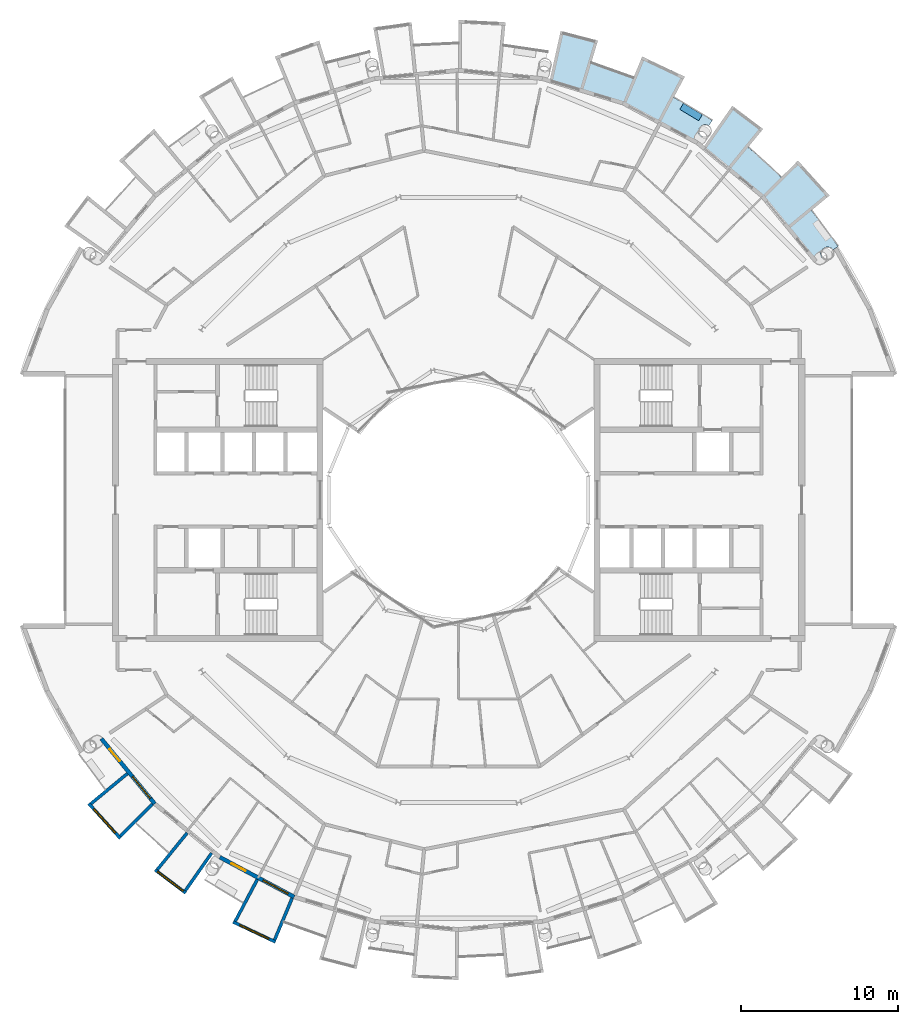
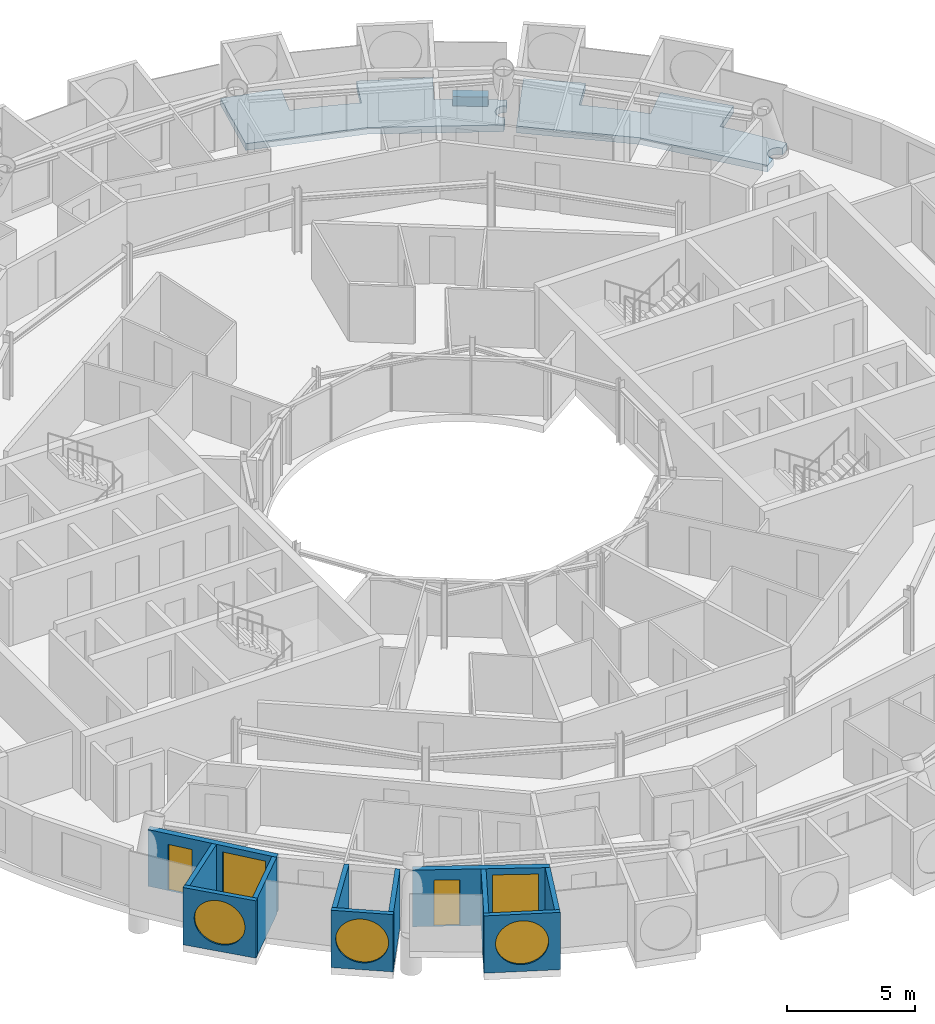
# One storey, part 14 of 28: 11 walls, 5 windows, 3 slabs, 2 doors, 7 openings.
"""IFC4 building model written with IfcOpenShell, lengths in metres."""

from ifc_helpers import new_model, si_unit, direction, frame, frame_2d, origin, place, context, subcontext, project, spatial, polyline, rectangle, circle, outline, extrude, material, layer, layer_set, type_object, element, fill, save


model = new_model("IFC4")

# Units and contexts
model_context = context("Model", 3, precision=1e-05, world=origin(), true_north=direction((0.0, 1.0)))
body_context = subcontext(model_context, "Body", "Model", "MODEL_VIEW")
ifc_project = project(units=[si_unit("LENGTHUNIT", "METRE"), si_unit("AREAUNIT", "SQUARE_METRE"), si_unit("VOLUMEUNIT", "CUBIC_METRE"), si_unit("PLANEANGLEUNIT", "RADIAN"), si_unit("MASSUNIT", "GRAM", prefix="KILO")], contexts=[model_context])

# Site, building, storey
site_placement = place(None, origin())
site = spatial("IfcSite", under=ifc_project, at=site_placement, CompositionType="ELEMENT")
building_placement = place(site_placement, origin())
building = spatial("IfcBuilding", under=site, at=building_placement, Name="Maasbend Ring Residences", CompositionType="ELEMENT")
storey_placement = place(building_placement, frame((0.0, 0.0, 231.0)))
storey = spatial("IfcBuildingStorey", under=building, at=storey_placement, Name="L66", CompositionType="ELEMENT", Elevation=231.0)

# Slabs
ifc_material_1 = material(Name="Planting with climbing greenery")
ifc_layer_1 = layer(ifc_material_1, 0.449951171875)
ifc_layer_set_1 = layer_set([ifc_layer_1], Name="PLANTER-LG")
slab_type_1 = type_object("IfcSlabType", Name="PLANTER-LG", PredefinedType="USERDEFINED", material=ifc_layer_set_1)
slab_1_placement = place(storey_placement, frame((0.0, 0.0, -0.030029296875)))
element("IfcSlab", 1, at=slab_1_placement, inside=storey, type_object=slab_type_1, Name="Planter with climbing greenery 2", ObjectType="PLANTER", PredefinedType="USERDEFINED", context=body_context, shape_type="SweptSolid", body=[
    extrude(outline(polyline([(15.490966796875, 24.48388671875), (14.291015625, 25.2041015625), (14.05908203125, 24.818115234375), (15.260009765625, 24.097900390625), (15.490966796875, 24.48388671875)])), origin(), (0.0, 0.0, 1.0), 0.449951171875),
])
ifc_material_2 = material(Name="Concrete C40/50", Category="concrete")
ifc_layer_2 = layer(ifc_material_2, 0.199951171875)
ifc_layer_set_2 = layer_set([ifc_layer_2], Name="Concrete C40/50")
slab_type_2 = type_object("IfcSlabType", Name="SL-LOGGIA", PredefinedType="FLOOR", material=ifc_layer_set_2)
slab_2_placement = place(storey_placement, frame((0.0, 0.0, -0.35009765625)))
element("IfcSlab", 2, at=slab_2_placement, inside=storey, type_object=slab_type_2, Name="Loggia floor 1", PredefinedType="FLOOR", context=body_context, shape_type="SweptSolid", body=[
    extrude(outline(polyline([(8.85400390625, 29.18701171875), (8.85400390625, 29.18701171875), (8.85400390625, 29.18701171875), (8.41796875, 27.751953125), (8.41796875, 27.751953125), (8.41796875, 27.751953125), (8.41796875, 27.751953125), (8.41796875, 27.751953125), (8.41796875, 27.751953125), (8.41796875, 27.7509765625), (8.41796875, 27.7509765625), (8.41796875, 27.7509765625), (8.41796875, 27.7509765625), (8.41796875, 27.7509765625), (8.4189453125, 27.7509765625), (8.4189453125, 27.7509765625), (8.4189453125, 27.7509765625), (8.4189453125, 27.7509765625), (8.4189453125, 27.7509765625), (8.4189453125, 27.7509765625), (9.322021484375, 27.4609375), (9.322021484375, 27.4609375), (10.215087890625, 27.14111328125), (10.215087890625, 27.14111328125), (11.096923828125, 26.79296875), (11.096923828125, 26.79296875), (11.096923828125, 26.79296875), (11.097900390625, 26.79296875), (11.097900390625, 26.79296875), (11.097900390625, 26.79296875), (11.097900390625, 26.79296875), (11.097900390625, 26.79296875), (11.097900390625, 26.79296875), (11.097900390625, 26.79296875), (11.097900390625, 26.79296875), (11.097900390625, 26.79296875), (11.097900390625, 26.79296875), (11.097900390625, 26.79296875), (11.097900390625, 26.79296875), (11.097900390625, 26.79296875), (11.097900390625, 26.79296875), (11.672119140625, 28.177978515625), (11.672119140625, 28.177978515625), (11.672119140625, 28.177978515625), (14.3779296875, 26.89892578125), (14.3779296875, 26.89892578125), (14.3779296875, 26.89892578125), (13.6708984375, 25.575927734375), (13.6708984375, 25.575927734375), (13.6708984375, 25.575927734375), (13.6708984375, 25.575927734375), (13.6708984375, 25.575927734375), (13.6708984375, 25.575927734375), (13.6708984375, 25.575927734375), (13.6708984375, 25.575927734375), (13.6708984375, 25.575927734375), (13.6708984375, 25.575927734375), (13.6708984375, 25.575927734375), (13.6708984375, 25.575927734375), (13.6708984375, 25.575927734375), (13.6708984375, 25.575927734375), (13.6708984375, 25.575927734375), (13.6708984375, 25.575927734375), (13.6708984375, 25.574951171875), (14.5, 25.114990234375), (14.5, 25.114990234375), (15.31396484375, 24.626953125), (15.31396484375, 24.626953125), (16.112060546875, 24.113037109375), (16.112060546875, 24.113037109375), (16.112060546875, 24.113037109375), (15.89306640625, 23.784912109375), (15.885009765625, 23.791015625), (15.8759765625, 23.7958984375), (15.866943359375, 23.801025390625), (15.85888671875, 23.805908203125), (15.85009765625, 23.81005859375), (15.841064453125, 23.81494140625), (15.83203125, 23.819091796875), (15.822998046875, 23.822998046875), (15.81298828125, 23.826904296875), (15.803955078125, 23.830078125), (15.794921875, 23.8330078125), (15.784912109375, 23.8359375), (15.77587890625, 23.839111328125), (15.76611328125, 23.842041015625), (15.756103515625, 23.843994140625), (15.74609375, 23.845947265625), (15.737060546875, 23.847900390625), (15.72705078125, 23.85009765625), (15.717041015625, 23.85107421875), (15.70703125, 23.85205078125), (15.697021484375, 23.85302734375), (15.68701171875, 23.85302734375), (15.677001953125, 23.85400390625), (15.6669921875, 23.85400390625), (15.656982421875, 23.85400390625), (15.64697265625, 23.85302734375), (15.636962890625, 23.85302734375), (15.626953125, 23.85205078125), (15.616943359375, 23.85107421875), (15.60693359375, 23.85009765625), (15.597900390625, 23.847900390625), (15.587890625, 23.845947265625), (15.577880859375, 23.843994140625), (15.568115234375, 23.842041015625), (15.55908203125, 23.839111328125), (15.549072265625, 23.8359375), (15.5400390625, 23.8330078125), (15.530029296875, 23.830078125), (15.52099609375, 23.826904296875), (15.511962890625, 23.822998046875), (15.501953125, 23.819091796875), (15.492919921875, 23.81494140625), (15.48388671875, 23.81005859375), (15.47509765625, 23.805908203125), (15.467041015625, 23.801025390625), (15.4580078125, 23.7958984375), (15.449951171875, 23.791015625), (15.44091796875, 23.784912109375), (15.43310546875, 23.780029296875), (15.425048828125, 23.77392578125), (15.4169921875, 23.76806640625), (15.408935546875, 23.761962890625), (15.402099609375, 23.7548828125), (15.39404296875, 23.7490234375), (15.386962890625, 23.741943359375), (15.3798828125, 23.735107421875), (15.373046875, 23.72802734375), (15.365966796875, 23.719970703125), (15.35888671875, 23.712890625), (15.35302734375, 23.705078125), (15.346923828125, 23.697021484375), (15.341064453125, 23.68994140625), (15.3349609375, 23.680908203125), (15.3291015625, 23.673095703125), (15.323974609375, 23.6650390625), (15.318115234375, 23.656005859375), (15.31298828125, 23.64794921875), (15.30908203125, 23.638916015625), (15.303955078125, 23.6298828125), (15.300048828125, 23.62109375), (15.294921875, 23.612060546875), (15.2919921875, 23.60302734375), (15.2880859375, 23.593994140625), (15.283935546875, 23.583984375), (15.281005859375, 23.574951171875), (15.278076171875, 23.56494140625), (15.27490234375, 23.555908203125), (15.27294921875, 23.5458984375), (15.27001953125, 23.535888671875), (15.26806640625, 23.527099609375), (15.26708984375, 23.51708984375), (15.264892578125, 23.507080078125), (15.263916015625, 23.4970703125), (15.262939453125, 23.487060546875), (15.261962890625, 23.47705078125), (15.260986328125, 23.467041015625), (15.260986328125, 23.45703125), (15.260986328125, 23.447021484375), (15.260986328125, 23.43701171875), (15.260986328125, 23.427001953125), (15.261962890625, 23.4169921875), (15.262939453125, 23.407958984375), (15.263916015625, 23.39794921875), (15.264892578125, 23.387939453125), (15.26708984375, 23.3779296875), (15.26806640625, 23.367919921875), (15.27001953125, 23.35791015625), (15.27294921875, 23.34912109375), (15.27490234375, 23.339111328125), (15.278076171875, 23.3291015625), (15.281005859375, 23.320068359375), (15.283935546875, 23.31005859375), (15.2880859375, 23.301025390625), (15.2919921875, 23.2919921875), (15.294921875, 23.282958984375), (15.300048828125, 23.27392578125), (15.303955078125, 23.264892578125), (15.30908203125, 23.256103515625), (15.31298828125, 23.2470703125), (15.318115234375, 23.238037109375), (15.323974609375, 23.22998046875), (15.3291015625, 23.221923828125), (15.3349609375, 23.212890625), (15.341064453125, 23.205078125), (15.346923828125, 23.197021484375), (15.35302734375, 23.18994140625), (15.35888671875, 23.181884765625), (15.365966796875, 23.174072265625), (15.373046875, 23.1669921875), (15.3798828125, 23.159912109375), (15.386962890625, 23.153076171875), (15.39404296875, 23.14599609375), (15.402099609375, 23.139892578125), (15.408935546875, 23.133056640625), (15.4169921875, 23.126953125), (15.425048828125, 23.12109375), (15.43310546875, 23.114990234375), (15.44091796875, 23.10888671875), (15.1669921875, 22.698974609375), (15.1669921875, 22.698974609375), (15.1669921875, 22.698974609375), (12.806884765625, 23.9609375), (10.447021484375, 25.221923828125), (10.447021484375, 25.221923828125), (10.447021484375, 25.221923828125), (7.886962890625, 25.9990234375), (5.797119140625, 26.633056640625), (5.797119140625, 26.633056640625), (5.797119140625, 26.633056640625), (6.487060546875, 29.802001953125), (6.487060546875, 29.802001953125), (6.487060546875, 29.802001953125), (8.85400390625, 29.18701171875)])), origin(), (0.0, 0.0, 1.0), 0.320068359375),
])
slab_3_placement = place(storey_placement, frame((0.0, 0.0, -0.35009765625)))
element("IfcSlab", 3, at=slab_3_placement, inside=storey, type_object=slab_type_2, Name="Loggia floor 4", PredefinedType="FLOOR", context=body_context, shape_type="SweptSolid", body=[
    extrude(outline(polyline([(19.34912109375, 23.576904296875), (19.34912109375, 23.576904296875), (19.34912109375, 23.576904296875), (18.39794921875, 22.41796875), (18.39794921875, 22.41796875), (18.39794921875, 22.41796875), (18.39794921875, 22.41796875), (18.39794921875, 22.41796875), (18.39794921875, 22.4169921875), (18.39794921875, 22.4169921875), (18.39794921875, 22.4169921875), (18.39794921875, 22.4169921875), (18.39794921875, 22.4169921875), (18.39794921875, 22.4169921875), (18.39794921875, 22.4169921875), (18.39794921875, 22.4169921875), (18.39794921875, 22.4169921875), (18.39794921875, 22.4169921875), (18.39794921875, 22.4169921875), (18.39794921875, 22.4169921875), (19.12109375, 21.802978515625), (19.12109375, 21.802978515625), (19.823974609375, 21.166015625), (19.823974609375, 21.166015625), (20.506103515625, 20.506103515625), (20.506103515625, 20.506103515625), (20.506103515625, 20.506103515625), (20.506103515625, 20.506103515625), (20.506103515625, 20.506103515625), (20.506103515625, 20.506103515625), (20.506103515625, 20.506103515625), (20.506103515625, 20.506103515625), (20.506103515625, 20.506103515625), (20.506103515625, 20.506103515625), (20.506103515625, 20.506103515625), (20.506103515625, 20.506103515625), (20.506103515625, 20.506103515625), (20.506103515625, 20.506103515625), (20.506103515625, 20.506103515625), (20.506103515625, 20.506103515625), (20.506103515625, 20.506103515625), (21.56689453125, 21.56689453125), (21.56689453125, 21.56689453125), (21.56689453125, 21.56689453125), (23.576904296875, 19.34912109375), (23.576904296875, 19.34912109375), (23.576904296875, 19.34912109375), (22.41796875, 18.39794921875), (22.41796875, 18.39794921875), (22.41796875, 18.39794921875), (22.41796875, 18.39794921875), (22.41796875, 18.39794921875), (22.41796875, 18.39794921875), (22.41796875, 18.39697265625), (22.41796875, 18.39697265625), (22.41796875, 18.39697265625), (22.41796875, 18.39697265625), (22.41796875, 18.39697265625), (22.41796875, 18.39697265625), (22.41796875, 18.39697265625), (22.41796875, 18.39697265625), (22.41796875, 18.39697265625), (22.41796875, 18.39697265625), (22.41796875, 18.39697265625), (23.007080078125, 17.654052734375), (23.007080078125, 17.654052734375), (23.572998046875, 16.89208984375), (23.572998046875, 16.89208984375), (24.113037109375, 16.112060546875), (24.113037109375, 16.112060546875), (24.113037109375, 16.112060546875), (23.784912109375, 15.89306640625), (23.784912109375, 15.89306640625), (23.780029296875, 15.90087890625), (23.77392578125, 15.908935546875), (23.76806640625, 15.9169921875), (23.761962890625, 15.925048828125), (23.7548828125, 15.93310546875), (23.7490234375, 15.93994140625), (23.741943359375, 15.947021484375), (23.735107421875, 15.955078125), (23.72802734375, 15.9619140625), (23.719970703125, 15.968017578125), (23.712890625, 15.97509765625), (23.705078125, 15.98095703125), (23.697021484375, 15.988037109375), (23.68994140625, 15.993896484375), (23.680908203125, 15.9990234375), (23.673095703125, 16.0048828125), (23.6650390625, 16.010986328125), (23.656005859375, 16.01611328125), (23.64794921875, 16.02099609375), (23.638916015625, 16.02587890625), (23.6298828125, 16.030029296875), (23.62109375, 16.034912109375), (23.612060546875, 16.0390625), (23.60302734375, 16.04296875), (23.593994140625, 16.0458984375), (23.583984375, 16.050048828125), (23.574951171875, 16.052978515625), (23.56494140625, 16.055908203125), (23.555908203125, 16.05908203125), (23.5458984375, 16.06103515625), (23.535888671875, 16.06396484375), (23.527099609375, 16.06591796875), (23.51708984375, 16.068115234375), (23.507080078125, 16.069091796875), (23.4970703125, 16.071044921875), (23.487060546875, 16.072021484375), (23.47705078125, 16.072021484375), (23.467041015625, 16.072998046875), (23.45703125, 16.072998046875), (23.447021484375, 16.073974609375), (23.43701171875, 16.072998046875), (23.427001953125, 16.072998046875), (23.4169921875, 16.072021484375), (23.407958984375, 16.072021484375), (23.39794921875, 16.071044921875), (23.387939453125, 16.069091796875), (23.3779296875, 16.068115234375), (23.367919921875, 16.06591796875), (23.35791015625, 16.06396484375), (23.34912109375, 16.06103515625), (23.339111328125, 16.05908203125), (23.3291015625, 16.055908203125), (23.320068359375, 16.052978515625), (23.31005859375, 16.050048828125), (23.301025390625, 16.0458984375), (23.2919921875, 16.04296875), (23.282958984375, 16.0390625), (23.27392578125, 16.034912109375), (23.264892578125, 16.030029296875), (23.256103515625, 16.02587890625), (23.2470703125, 16.02099609375), (23.238037109375, 16.01611328125), (23.22998046875, 16.010986328125), (23.221923828125, 16.0048828125), (23.212890625, 15.9990234375), (23.205078125, 15.993896484375), (23.197021484375, 15.988037109375), (23.18994140625, 15.98095703125), (23.181884765625, 15.97509765625), (23.174072265625, 15.968017578125), (23.1669921875, 15.9619140625), (23.159912109375, 15.955078125), (23.153076171875, 15.947021484375), (23.14599609375, 15.93994140625), (23.139892578125, 15.93310546875), (23.133056640625, 15.925048828125), (23.126953125, 15.9169921875), (23.12109375, 15.908935546875), (23.114990234375, 15.90087890625), (23.10888671875, 15.89306640625), (23.10400390625, 15.885009765625), (23.09912109375, 15.8759765625), (23.093994140625, 15.866943359375), (23.089111328125, 15.85888671875), (23.083984375, 15.85009765625), (23.080078125, 15.841064453125), (23.075927734375, 15.83203125), (23.072021484375, 15.822998046875), (23.068115234375, 15.81298828125), (23.06494140625, 15.803955078125), (23.06103515625, 15.794921875), (23.05810546875, 15.784912109375), (23.055908203125, 15.77587890625), (23.052978515625, 15.76611328125), (23.051025390625, 15.756103515625), (23.049072265625, 15.74609375), (23.047119140625, 15.737060546875), (23.044921875, 15.72705078125), (23.0439453125, 15.717041015625), (23.04296875, 15.70703125), (23.0419921875, 15.697021484375), (23.041015625, 15.68701171875), (23.041015625, 15.677001953125), (23.041015625, 15.6669921875), (23.041015625, 15.656982421875), (23.041015625, 15.64697265625), (23.0419921875, 15.636962890625), (23.04296875, 15.626953125), (23.0439453125, 15.616943359375), (23.044921875, 15.60693359375), (23.047119140625, 15.597900390625), (23.049072265625, 15.587890625), (23.051025390625, 15.577880859375), (23.052978515625, 15.568115234375), (23.055908203125, 15.55908203125), (23.05810546875, 15.549072265625), (23.06103515625, 15.5400390625), (23.06494140625, 15.530029296875), (23.068115234375, 15.52099609375), (23.072021484375, 15.511962890625), (23.075927734375, 15.501953125), (23.080078125, 15.492919921875), (23.083984375, 15.48388671875), (23.089111328125, 15.47509765625), (23.093994140625, 15.467041015625), (23.09912109375, 15.4580078125), (23.10400390625, 15.449951171875), (23.10888671875, 15.44091796875), (23.10888671875, 15.44091796875), (22.698974609375, 15.1669921875), (22.698974609375, 15.1669921875), (22.698974609375, 15.1669921875), (21.001953125, 17.236083984375), (19.303955078125, 19.303955078125), (19.303955078125, 19.303955078125), (19.303955078125, 19.303955078125), (17.236083984375, 21.001953125), (15.547119140625, 22.386962890625), (15.547119140625, 22.386962890625), (15.547119140625, 22.386962890625), (17.39794921875, 25.051025390625), (17.39794921875, 25.051025390625), (17.39794921875, 25.051025390625), (19.34912109375, 23.576904296875)])), origin(), (0.0, 0.0, 1.0), 0.320068359375),
])

# Wall, opening, window
ifc_material_3 = material(Name="Pale anodised aluminium panel", Category="aluminium")
ifc_layer_3 = layer(ifc_material_3, 0.199951171875)
ifc_layer_set_3 = layer_set([ifc_layer_3], Name="EW-BOX")
wall_type_1 = type_object("IfcWallType", Name="EW-BOX", PredefinedType="SOLIDWALL", material=ifc_layer_set_3)
wall_1_placement = place(storey_placement, frame((-23.5029296875, -19.281982421875, -0.030029296875), z_axis=(0.0, 0.0, 1.0), x_axis=(0.671506829416, -0.740998365753, 0.0)))
wall_1 = element("IfcWall", 4, at=wall_1_placement, inside=storey, type_object=wall_type_1, Name="Box front S02", PredefinedType="SOLIDWALL", context=body_context, shape_type="SweptSolid", body=[
    extrude(rectangle(XDim=2.9931640625, YDim=0.199951171875, at=frame_2d((1.49658203125, 0.0))), origin(), (0.0, 0.0, 1.0), 2.72998046875),
])
opening_1_placement = place(wall_1_placement, frame((0.45654296875, 0.0, 0.330078125)))
opening_1 = element("IfcOpeningElement", 5, at=opening_1_placement, cuts=wall_1, Name="Opening W-RD", PredefinedType="OPENING", context=body_context, shape_type="SweptSolid", body=[
    extrude(circle(Radius=1.0400390625, at=frame_2d((1.0400390625, 1.0400390625))), frame((0.0, 0.10986328125, 0.0), z_axis=(0.0, -1.0, 0.0), x_axis=(1.0, 0.0, 0.0)), (0.0, 0.0, 1.0), 0.219970703125),
])
ifc_material_4 = material(Name="Aluminium and clear glass", Category="aluminium")
window_type_1 = type_object("IfcWindowType", Name="W-RD", PartitioningType="SINGLE_PANEL", PredefinedType="WINDOW", material=ifc_material_4)
window_1_placement = place(opening_1_placement, origin())
window_1 = element("IfcWindow", 6, at=window_1_placement, inside=storey, type_object=window_type_1, Name="Round window S02", OverallHeight=2.080078125, OverallWidth=2.080078125, PartitioningType="SINGLE_PANEL", PredefinedType="WINDOW", context=body_context, shape_type="SweptSolid", body=[
    extrude(circle(Radius=1.0400390625, at=frame_2d((1.0400390625, 1.0400390625))), frame((0.0, 0.030029296875, 0.0), z_axis=(0.0, -1.0, 0.0), x_axis=(1.0, 0.0, 0.0)), (0.0, 0.0, 1.0), 0.06005859375),
])
fill(opening_1, window_1)

# Walls
wall_2_placement = place(storey_placement, frame((-21.041015625, -17.384033203125, -0.030029296875), z_axis=(0.0, 0.0, 1.0), x_axis=(-0.770784861449, -0.63709551667, 0.0)))
element("IfcWall", 7, at=wall_2_placement, inside=storey, type_object=wall_type_1, Name="Box side wall S02 left", PredefinedType="SOLIDWALL", context=body_context, shape_type="SweptSolid", body=[
    extrude(rectangle(XDim=3.005859375, YDim=0.199951171875, at=frame_2d((1.5029296875, 0.0))), origin(), (0.0, 0.0, 1.0), 2.72998046875),
])
wall_3_placement = place(storey_placement, frame((-19.449951171875, -19.322998046875, -0.030029296875), z_axis=(0.0, 0.0, 1.0), x_axis=(-0.709727076896, -0.704476739375, 0.0)))
element("IfcWall", 8, at=wall_3_placement, inside=storey, type_object=wall_type_1, Name="Box side wall S02 right", PredefinedType="SOLIDWALL", context=body_context, shape_type="SweptSolid", body=[
    extrude(rectangle(XDim=2.883056640625, YDim=0.199951171875, at=frame_2d((1.44140625, 0.0))), origin(), (0.0, 0.0, 1.0), 2.72998046875),
])

# Wall, opening, window
wall_4_placement = place(storey_placement, frame((-19.2890625, -23.4970703125, -0.030029296875), z_axis=(0.0, 0.0, 1.0), x_axis=(0.797887588059, -0.602806268067, 0.0)))
wall_4 = element("IfcWall", 9, at=wall_4_placement, inside=storey, type_object=wall_type_1, Name="Box front S04", PredefinedType="SOLIDWALL", context=body_context, shape_type="SweptSolid", body=[
    extrude(rectangle(XDim=2.446533203125, YDim=0.199951171875, at=frame_2d((1.22314453125, 0.0))), origin(), (0.0, 0.0, 1.0), 2.72998046875),
])
opening_2_placement = place(wall_4_placement, frame((0.182861328125, 0.0, 0.330078125)))
opening_2 = element("IfcOpeningElement", 10, at=opening_2_placement, cuts=wall_4, Name="Opening W-RD", PredefinedType="OPENING", context=body_context, shape_type="SweptSolid", body=[
    extrude(circle(Radius=1.0400390625, at=frame_2d((1.0400390625, 1.0400390625))), frame((0.0, 0.10986328125, 0.0), z_axis=(0.0, -1.0, 0.0), x_axis=(1.0, 0.0, 0.0)), (0.0, 0.0, 1.0), 0.219970703125),
])
window_2_placement = place(opening_2_placement, origin())
window_2 = element("IfcWindow", 11, at=window_2_placement, inside=storey, type_object=window_type_1, Name="Round window S04", OverallHeight=2.080078125, OverallWidth=2.080078125, PartitioningType="SINGLE_PANEL", PredefinedType="WINDOW", context=body_context, shape_type="SweptSolid", body=[
    extrude(circle(Radius=1.0400390625, at=frame_2d((1.0400390625, 1.0400390625))), frame((0.0, 0.030029296875, 0.0), z_axis=(0.0, -1.0, 0.0), x_axis=(1.0, 0.0, 0.0)), (0.0, 0.0, 1.0), 0.06005859375),
])
fill(opening_2, window_2)

# Walls
wall_5_placement = place(storey_placement, frame((-17.24609375, -21.155029296875, -0.030029296875), z_axis=(0.0, 0.0, 1.0), x_axis=(-0.631741648902, -0.775179004516, 0.0)))
element("IfcWall", 12, at=wall_5_placement, inside=storey, type_object=wall_type_1, Name="Box side wall S04 left", PredefinedType="SOLIDWALL", context=body_context, shape_type="SweptSolid", body=[
    extrude(rectangle(XDim=3.005859375, YDim=0.199951171875, at=frame_2d((1.5029296875, 0.0))), origin(), (0.0, 0.0, 1.0), 2.72998046875),
])
wall_6_placement = place(storey_placement, frame((-15.68798828125, -22.43310546875, -0.030029296875), z_axis=(0.0, 0.0, 1.0), x_axis=(-0.573260687834, -0.819373043115, 0.0)))
element("IfcWall", 13, at=wall_6_placement, inside=storey, type_object=wall_type_1, Name="Box side wall S04 right", PredefinedType="SOLIDWALL", context=body_context, shape_type="SweptSolid", body=[
    extrude(rectangle(XDim=2.92529296875, YDim=0.199951171875, at=frame_2d((1.462646484375, 0.0))), origin(), (0.0, 0.0, 1.0), 2.72998046875),
])

# Wall, opening, window
wall_7_placement = place(storey_placement, frame((-14.3349609375, -26.80810546875, -0.030029296875), z_axis=(0.0, 0.0, 1.0), x_axis=(0.904000060331, -0.427532327342, 0.0)))
wall_7 = element("IfcWall", 14, at=wall_7_placement, inside=storey, type_object=wall_type_1, Name="Box front S06", PredefinedType="SOLIDWALL", context=body_context, shape_type="SweptSolid", body=[
    extrude(rectangle(XDim=2.993408203125, YDim=0.199951171875, at=frame_2d((1.49658203125, 0.0))), origin(), (0.0, 0.0, 1.0), 2.72998046875),
])
opening_3_placement = place(wall_7_placement, frame((0.45654296875, 0.0, 0.330078125)))
opening_3 = element("IfcOpeningElement", 15, at=opening_3_placement, cuts=wall_7, Name="Opening W-RD", PredefinedType="OPENING", context=body_context, shape_type="SweptSolid", body=[
    extrude(circle(Radius=1.0400390625, at=frame_2d((1.0400390625, 1.0400390625))), frame((0.0, 0.10986328125, 0.0), z_axis=(0.0, -1.0, 0.0), x_axis=(1.0, 0.0, 0.0)), (0.0, 0.0, 1.0), 0.219970703125),
])
window_3_placement = place(opening_3_placement, origin())
window_3 = element("IfcWindow", 16, at=window_3_placement, inside=storey, type_object=window_type_1, Name="Round window S06", OverallHeight=2.080078125, OverallWidth=2.080078125, PartitioningType="SINGLE_PANEL", PredefinedType="WINDOW", context=body_context, shape_type="SweptSolid", body=[
    extrude(circle(Radius=1.0400390625, at=frame_2d((1.0400390625, 1.0400390625))), frame((0.0, 0.030029296875, 0.0), z_axis=(0.0, -1.0, 0.0), x_axis=(1.0, 0.0, 0.0)), (0.0, 0.0, 1.0), 0.06005859375),
])
fill(opening_3, window_3)

# Walls
wall_8_placement = place(storey_placement, frame((-12.787109375, -24.113037109375, -0.030029296875), z_axis=(0.0, 0.0, 1.0), x_axis=(-0.468365282436, -0.883534924159, 0.0)))
element("IfcWall", 17, at=wall_8_placement, inside=storey, type_object=wall_type_1, Name="Box side wall S06 left", PredefinedType="SOLIDWALL", context=body_context, shape_type="SweptSolid", body=[
    extrude(rectangle(XDim=3.006103515625, YDim=0.199951171875, at=frame_2d((1.5029296875, 0.0))), origin(), (0.0, 0.0, 1.0), 2.72998046875),
])
wall_9_placement = place(storey_placement, frame((-10.574951171875, -25.294921875, -0.030029296875), z_axis=(0.0, 0.0, 1.0), x_axis=(-0.385697364644, -0.922625353492, 0.0)))
element("IfcWall", 18, at=wall_9_placement, inside=storey, type_object=wall_type_1, Name="Box side wall S06 right", PredefinedType="SOLIDWALL", context=body_context, shape_type="SweptSolid", body=[
    extrude(rectangle(XDim=2.88330078125, YDim=0.199951171875, at=frame_2d((1.441650390625, 0.0))), origin(), (0.0, 0.0, 1.0), 2.72998046875),
])

# Wall, openings, door, window
ifc_material_5 = material(Name="Aluminium clad insulated panel", Category="aluminium")
ifc_layer_4 = layer(ifc_material_5, 0.25)
ifc_layer_set_4 = layer_set([ifc_layer_4], Name="EW-GL")
wall_type_2 = type_object("IfcWallType", Name="EW-GL", PredefinedType="SOLIDWALL", material=ifc_layer_set_4)
wall_10_placement = place(storey_placement, frame((-22.698974609375, -15.1669921875, 0.0), z_axis=(0.0, 0.0, 1.0), x_axis=(0.634382322723, -0.773019449054, 0.0)))
wall_10 = element("IfcWall", 19, at=wall_10_placement, inside=storey, type_object=wall_type_2, Name="External wall S01", PredefinedType="SOLIDWALL", context=body_context, shape_type="SweptSolid", body=[
    extrude(rectangle(XDim=5.351806640625, YDim=0.25, at=frame_2d((2.67578125, 0.0))), origin(), (0.0, 0.0, 1.0), 2.699951171875),
])
opening_4_placement = place(wall_10_placement, frame((0.841064453125, 0.0, 0.0)))
opening_4 = element("IfcOpeningElement", 20, at=opening_4_placement, cuts=wall_10, Name="Opening D-LG", PredefinedType="OPENING", context=body_context, shape_type="SweptSolid", body=[
    extrude(rectangle(XDim=1.0, YDim=2.199951171875, at=frame_2d((0.5, 1.10009765625))), frame((0.0, 0.135009765625, 0.0), z_axis=(0.0, -1.0, 0.0), x_axis=(1.0, 0.0, 0.0)), (0.0, 0.0, 1.0), 0.27001953125),
])
opening_5_placement = place(wall_10_placement, frame((3.110595703125, 0.0, 0.300048828125)))
opening_5 = element("IfcOpeningElement", 21, at=opening_5_placement, cuts=wall_10, Name="Opening W-BX", PredefinedType="OPENING", context=body_context, shape_type="SweptSolid", body=[
    extrude(rectangle(XDim=1.800048828125, YDim=2.10009765625, at=frame_2d((0.89990234375, 1.050048828125))), frame((0.0, 0.135009765625, 0.0), z_axis=(0.0, -1.0, 0.0), x_axis=(1.0, 0.0, 0.0)), (0.0, 0.0, 1.0), 0.27001953125),
])
ifc_material_6 = material(Name="Aluminium and clear glass", Category="aluminium")
door_type = type_object("IfcDoorType", Name="D-LG", OperationType="SINGLE_SWING_LEFT", PredefinedType="DOOR", material=ifc_material_6)
door_1_placement = place(opening_4_placement, origin())
door_1 = element("IfcDoor", 22, at=door_1_placement, inside=storey, type_object=door_type, Name="Loggia door S01", OperationType="SINGLE_SWING_LEFT", OverallHeight=2.199951171875, OverallWidth=1.0, PredefinedType="DOOR", context=body_context, shape_type="SweptSolid", body=[
    extrude(rectangle(XDim=1.0, YDim=2.199951171875, at=frame_2d((0.5, 1.10009765625))), frame((0.0, 0.02490234375, 0.0), z_axis=(0.0, -1.0, 0.0), x_axis=(1.0, 0.0, 0.0)), (0.0, 0.0, 1.0), 0.050048828125),
])
fill(opening_4, door_1)
ifc_material_7 = material(Name="Aluminium and clear glass", Category="aluminium")
window_type_2 = type_object("IfcWindowType", Name="W-BX", PartitioningType="DOUBLE_PANEL_VERTICAL", PredefinedType="WINDOW", material=ifc_material_7)
window_4_placement = place(opening_5_placement, origin())
window_4 = element("IfcWindow", 23, at=window_4_placement, inside=storey, type_object=window_type_2, Name="Window S02 room to box", OverallHeight=2.10009765625, OverallWidth=1.800048828125, PartitioningType="SINGLE_PANEL", PredefinedType="WINDOW", context=body_context, shape_type="SweptSolid", body=[
    extrude(rectangle(XDim=1.800048828125, YDim=2.10009765625, at=frame_2d((0.89990234375, 1.050048828125))), frame((0.0, 0.030029296875, 0.0), z_axis=(0.0, -1.0, 0.0), x_axis=(1.0, 0.0, 0.0)), (0.0, 0.0, 1.0), 0.06005859375),
])
fill(opening_5, window_4)

wall_11_placement = place(storey_placement, frame((-15.1669921875, -22.698974609375, 0.0), z_axis=(0.0, 0.0, 1.0), x_axis=(0.881915646801, -0.471407246368, 0.0)))
wall_11 = element("IfcWall", 24, at=wall_11_placement, inside=storey, type_object=wall_type_2, Name="External wall S03", PredefinedType="SOLIDWALL", context=body_context, shape_type="SweptSolid", body=[
    extrude(rectangle(XDim=5.35205078125, YDim=0.25, at=frame_2d((2.676025390625, 0.0))), origin(), (0.0, 0.0, 1.0), 2.699951171875),
])
opening_6_placement = place(wall_11_placement, frame((0.841064453125, 0.0, 0.0)))
opening_6 = element("IfcOpeningElement", 25, at=opening_6_placement, cuts=wall_11, Name="Opening D-LG", PredefinedType="OPENING", context=body_context, shape_type="SweptSolid", body=[
    extrude(rectangle(XDim=1.0, YDim=2.199951171875, at=frame_2d((0.5, 1.10009765625))), frame((0.0, 0.135009765625, 0.0), z_axis=(0.0, -1.0, 0.0), x_axis=(1.0, 0.0, 0.0)), (0.0, 0.0, 1.0), 0.27001953125),
])
opening_7_placement = place(wall_11_placement, frame((3.110595703125, 0.0, 0.300048828125)))
opening_7 = element("IfcOpeningElement", 26, at=opening_7_placement, cuts=wall_11, Name="Opening W-BX", PredefinedType="OPENING", context=body_context, shape_type="SweptSolid", body=[
    extrude(rectangle(XDim=1.800048828125, YDim=2.10009765625, at=frame_2d((0.89990234375, 1.050048828125))), frame((0.0, 0.135009765625, 0.0), z_axis=(0.0, -1.0, 0.0), x_axis=(1.0, 0.0, 0.0)), (0.0, 0.0, 1.0), 0.27001953125),
])
door_2_placement = place(opening_6_placement, origin())
door_2 = element("IfcDoor", 27, at=door_2_placement, inside=storey, type_object=door_type, Name="Loggia door S05", OperationType="SINGLE_SWING_LEFT", OverallHeight=2.199951171875, OverallWidth=1.0, PredefinedType="DOOR", context=body_context, shape_type="SweptSolid", body=[
    extrude(rectangle(XDim=1.0, YDim=2.199951171875, at=frame_2d((0.5, 1.10009765625))), frame((0.0, 0.02490234375, 0.0), z_axis=(0.0, -1.0, 0.0), x_axis=(1.0, 0.0, 0.0)), (0.0, 0.0, 1.0), 0.050048828125),
])
fill(opening_6, door_2)
window_5_placement = place(opening_7_placement, origin())
window_5 = element("IfcWindow", 28, at=window_5_placement, inside=storey, type_object=window_type_2, Name="Window S06 room to box", OverallHeight=2.10009765625, OverallWidth=1.800048828125, PartitioningType="SINGLE_PANEL", PredefinedType="WINDOW", context=body_context, shape_type="SweptSolid", body=[
    extrude(rectangle(XDim=1.800048828125, YDim=2.10009765625, at=frame_2d((0.89990234375, 1.050048828125))), frame((0.0, 0.030029296875, 0.0), z_axis=(0.0, -1.0, 0.0), x_axis=(1.0, 0.0, 0.0)), (0.0, 0.0, 1.0), 0.06005859375),
])
fill(opening_7, window_5)

save(model, "model.ifc")
